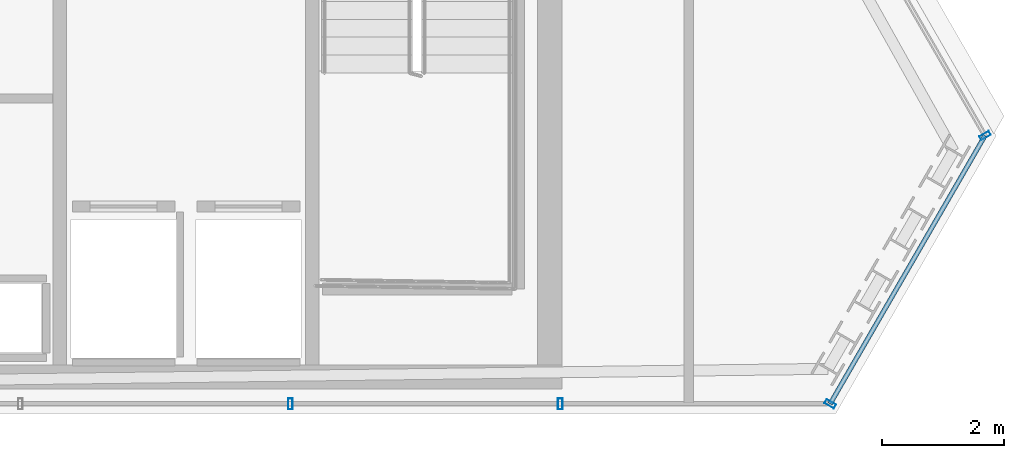
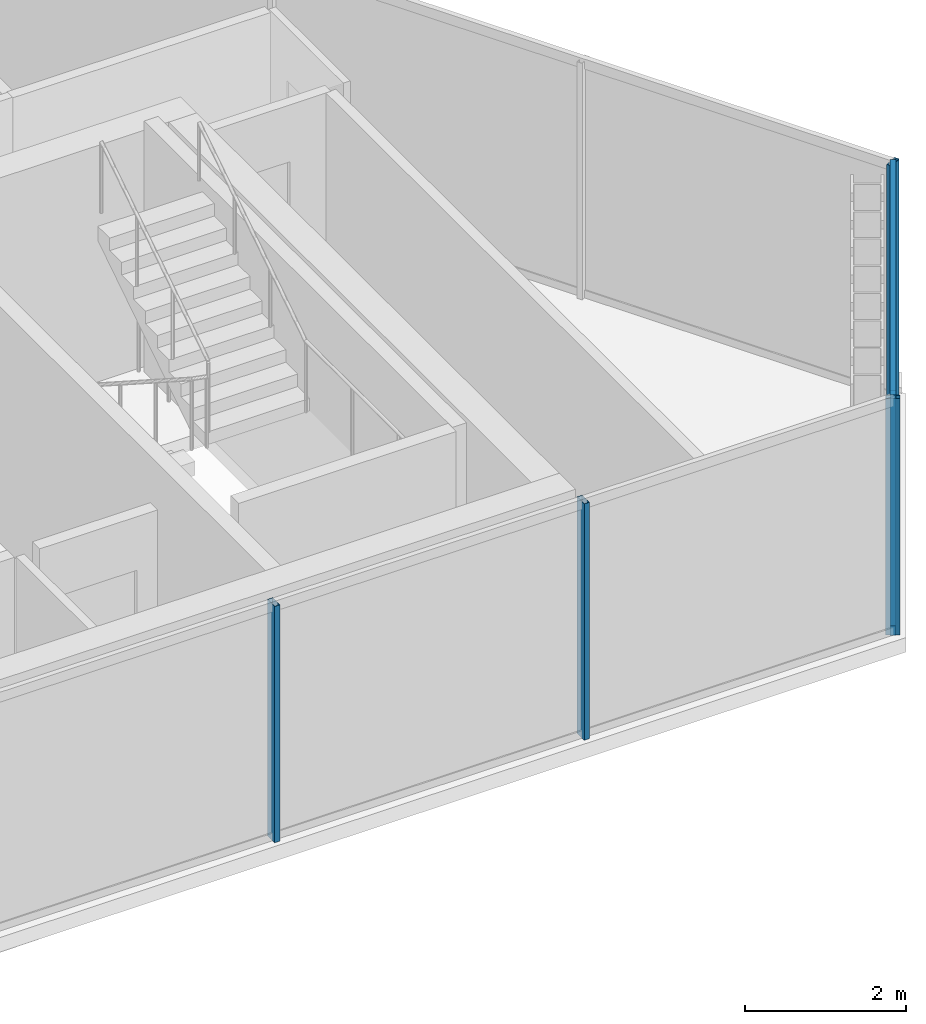
# One storey, part 23 of 35: 6 members, 3 elements without a shape of their own.
"""IFC4 building model written with IfcOpenShell, lengths in metres."""

from ifc_helpers import new_model, si_unit, direction, frame, origin, origin_2d, place, context, subcontext, project, spatial, hollow_rectangle, extrude, material, layer, layer_set, material_profile, profile_set, type_object, element, aggregate, save


model = new_model("IFC4")

# Units and contexts
model_context = context("Model", 3, precision=1e-05, world=origin(), true_north=direction((0.0, 1.0)))
body_context = subcontext(model_context, "Body", "Model", "MODEL_VIEW")
ifc_project = project(units=[si_unit("LENGTHUNIT", "METRE"), si_unit("AREAUNIT", "SQUARE_METRE"), si_unit("VOLUMEUNIT", "CUBIC_METRE"), si_unit("PLANEANGLEUNIT", "RADIAN"), si_unit("MASSUNIT", "GRAM", prefix="KILO")], contexts=[model_context])

# Site, building, storey
site_placement = place(None, origin())
site = spatial("IfcSite", under=ifc_project, at=site_placement, CompositionType="ELEMENT")
building_placement = place(site_placement, origin())
building = spatial("IfcBuilding", under=site, at=building_placement, Name="Ndaravel Arena Tower", CompositionType="ELEMENT")
storey_placement = place(building_placement, frame((0.0, 0.0, 271.199951171875)))
storey = spatial("IfcBuildingStorey", under=building, at=storey_placement, Name="L66", CompositionType="ELEMENT", Elevation=271.199951171875)

# Curtain wall, members
ifc_material_1 = material(Name="Aluminium", Category="aluminium")
ifc_layer_1 = layer(ifc_material_1, 0.179931640625)
ifc_layer_set_1 = layer_set([ifc_layer_1], Name="Aluminium")
curtain_wall_type_1 = type_object("IfcCurtainWallType", Name="CW-SYS-03", PredefinedType="NOTDEFINED", material=ifc_layer_set_1)
curtain_wall_1_placement = place(storey_placement, origin())
curtain_wall_1 = element("IfcCurtainWall", 1, at=curtain_wall_1_placement, inside=storey, type_object=curtain_wall_type_1, Name="L66 Faceted Crystal Curtain Wall CW-L66-E01", PredefinedType="NOTDEFINED")
ifc_material_2 = material(Name="Aluminium", Category="aluminium")
ifc_material_profile_1 = material_profile(ifc_material_2, hollow_rectangle(XDim=0.074951171875, YDim=0.179931640625, WallThickness=0.00390625, at=origin_2d()), Name="CW MULLION 75x180x4")
ifc_profile_set_1 = profile_set([ifc_material_profile_1], Name="Aluminium")
member_type_1 = type_object("IfcMemberType", Name="MEM-CW-MUL180", PredefinedType="MULLION", material=ifc_profile_set_1)
member_1_placement = place(storey_placement, frame((53.08837890625, 5.159912109375, 0.0), z_axis=(0.0, 0.0, 1.0), x_axis=(1.0, 0.0, 0.0)))
member_1 = element("IfcMember", 2, at=member_1_placement, type_object=member_type_1, Name="CW-L66-E01 Mullion 07", PredefinedType="MULLION", context=body_context, shape_type="SweptSolid", body=[
    extrude(hollow_rectangle(XDim=0.074951171875, YDim=0.179931640625, WallThickness=0.00390625, at=origin_2d()), origin(), (0.0, 0.0, 1.0), 3.580078125),
])
member_2_placement = place(storey_placement, frame((57.523681640625, 5.159912109375, 0.0), z_axis=(0.0, 0.0, 1.0), x_axis=(1.0, 0.0, 0.0)))
member_2 = element("IfcMember", 3, at=member_2_placement, type_object=member_type_1, Name="CW-L66-E01 Mullion 08", PredefinedType="MULLION", context=body_context, shape_type="SweptSolid", body=[
    extrude(hollow_rectangle(XDim=0.074951171875, YDim=0.179931640625, WallThickness=0.00390625, at=origin_2d()), origin(), (0.0, 0.0, 1.0), 3.580078125),
])
aggregate(curtain_wall_1, [member_1, member_2])

# Curtain wall, member
ifc_material_3 = material(Name="Aluminium", Category="aluminium")
ifc_layer_2 = layer(ifc_material_3, 0.179931640625)
ifc_layer_set_2 = layer_set([ifc_layer_2], Name="Aluminium")
curtain_wall_type_2 = type_object("IfcCurtainWallType", Name="CW-SYS-01", PredefinedType="NOTDEFINED", material=ifc_layer_set_2)
curtain_wall_2_placement = place(storey_placement, origin())
curtain_wall_2 = element("IfcCurtainWall", 4, at=curtain_wall_2_placement, inside=storey, type_object=curtain_wall_type_2, Name="L66 Faceted Crystal Curtain Wall CW-L66-E02", PredefinedType="NOTDEFINED")
member_3_placement = place(storey_placement, frame((61.958984375, 5.159912109375, 0.0), z_axis=(0.0, 0.0, 1.0), x_axis=(0.5, 0.866025403784, 0.0)))
member_3 = element("IfcMember", 5, at=member_3_placement, type_object=member_type_1, Name="CW-L66-E02 Mullion 00", PredefinedType="MULLION", context=body_context, shape_type="SweptSolid", body=[
    extrude(hollow_rectangle(XDim=0.074951171875, YDim=0.179931640625, WallThickness=0.00390625, at=origin_2d()), origin(), (0.0, 0.0, 1.0), 3.580078125),
])

curtain_wall_3_placement = place(storey_placement, origin())
curtain_wall_3 = element("IfcCurtainWall", 6, at=curtain_wall_3_placement, inside=storey, type_object=curtain_wall_type_1, Name="L66 Faceted Crystal Curtain Wall CW-L66-E03", PredefinedType="NOTDEFINED")
member_4_placement = place(storey_placement, frame((64.50390625, 9.567626953125, 0.0), z_axis=(0.0, 0.0, 1.0), x_axis=(-0.5, 0.866025403784, 0.0)))
member_4 = element("IfcMember", 7, at=member_4_placement, type_object=member_type_1, Name="CW-L66-E03 Mullion 00", PredefinedType="MULLION", context=body_context, shape_type="SweptSolid", body=[
    extrude(hollow_rectangle(XDim=0.074951171875, YDim=0.179931640625, WallThickness=0.00390625, at=origin_2d()), origin(), (0.0, 0.0, 1.0), 3.580078125),
])
aggregate(curtain_wall_3, [member_4])

# Member
ifc_material_4 = material(Name="Aluminium", Category="aluminium")
ifc_material_profile_2 = material_profile(ifc_material_4, hollow_rectangle(XDim=0.074951171875, YDim=0.14990234375, WallThickness=0.00390625, at=origin_2d()), Name="CW TRANSOM 75x150x4")
ifc_profile_set_2 = profile_set([ifc_material_profile_2], Name="Aluminium")
member_type_2 = type_object("IfcMemberType", Name="MEM-CW-TRN150", PredefinedType="USERDEFINED", material=ifc_profile_set_2)
member_5_placement = place(storey_placement, frame((61.958984375, 5.159912109375, 0.0400390625), z_axis=(0.500018644096, 0.866014639343, 0.0), x_axis=(-0.866014639343, 0.500018644096, 0.0)))
member_5 = element("IfcMember", 8, at=member_5_placement, type_object=member_type_2, Name="CW-L66-E02 Transom 01", ObjectType="TRANSOM", PredefinedType="USERDEFINED", context=body_context, shape_type="SweptSolid", body=[
    extrude(hollow_rectangle(XDim=0.074951171875, YDim=0.14990234375, WallThickness=0.00390625, at=origin_2d()), origin(), (0.0, 0.0, 1.0), 5.089599609375),
])

member_6_placement = place(storey_placement, frame((61.958984375, 5.159912109375, 3.5400390625), z_axis=(0.500018644096, 0.866014639343, 0.0), x_axis=(-0.866014639343, 0.500018644096, 0.0)))
member_6 = element("IfcMember", 9, at=member_6_placement, type_object=member_type_2, Name="CW-L66-E02 Transom 02", ObjectType="TRANSOM", PredefinedType="USERDEFINED", context=body_context, shape_type="SweptSolid", body=[
    extrude(hollow_rectangle(XDim=0.074951171875, YDim=0.14990234375, WallThickness=0.00390625, at=origin_2d()), origin(), (0.0, 0.0, 1.0), 5.089599609375),
])

aggregate(curtain_wall_2, [member_3, member_5, member_6])

save(model, "model.ifc")
